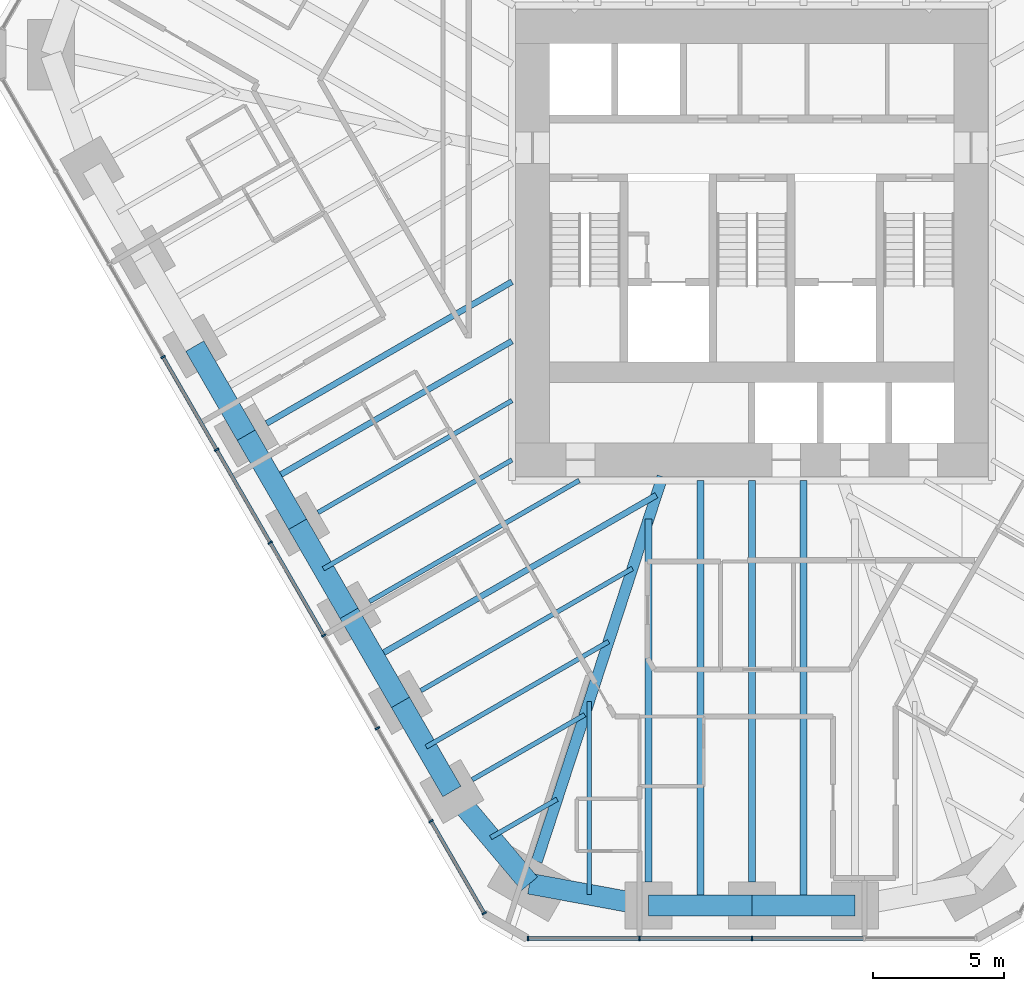
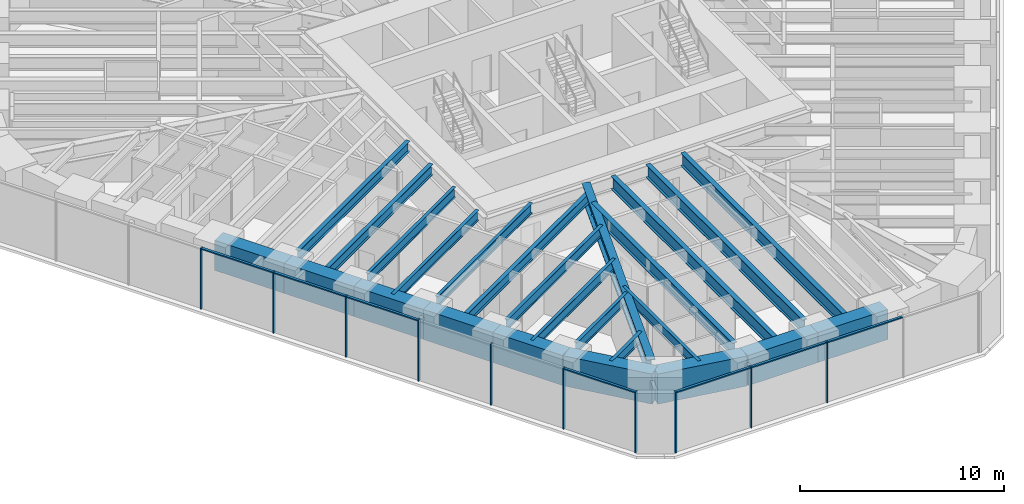
# One storey, part 2 of 17: 25 beams, 17 members, 2 elements without a shape of their own.
"""IFC4 building model written with IfcOpenShell, lengths in metres."""

from ifc_helpers import new_model, si_unit, direction, frame, origin, origin_2d, place, context, subcontext, project, spatial, rectangle, i_section, extrude, material, material_profile, profile_set, type_object, element, aggregate, save


model = new_model("IFC4")

# Units and contexts
model_context = context("Model", 3, precision=1e-05, world=origin(), true_north=direction((0.0, 1.0)))
body_context = subcontext(model_context, "Body", "Model", "MODEL_VIEW")
ifc_project = project(units=[si_unit("LENGTHUNIT", "METRE"), si_unit("AREAUNIT", "SQUARE_METRE"), si_unit("VOLUMEUNIT", "CUBIC_METRE"), si_unit("PLANEANGLEUNIT", "RADIAN"), si_unit("MASSUNIT", "GRAM", prefix="KILO")], contexts=[model_context])

# Site, building, storey
site_placement = place(None, origin())
site = spatial("IfcSite", under=ifc_project, at=site_placement, CompositionType="ELEMENT")
building_placement = place(site_placement, origin())
building = spatial("IfcBuilding", under=site, at=building_placement, Name="Sandreach Pilgrim Tower", CompositionType="ELEMENT")
storey_placement = place(building_placement, frame((0.0, 0.0, 112.0)))
storey = spatial("IfcBuildingStorey", under=building, at=storey_placement, Name="L27", CompositionType="ELEMENT", Elevation=112.0)

# Curtain wall, members
ifc_material_1 = material(Name="Aluminium framed curtain wall", Category="aluminium")
curtain_wall_type = type_object("IfcCurtainWallType", Name="Hotel tower curtain wall", PredefinedType="NOTDEFINED", material=ifc_material_1)
curtain_wall_1_placement = place(storey_placement, origin())
curtain_wall_1 = element("IfcCurtainWall", 1, at=curtain_wall_1_placement, inside=storey, type_object=curtain_wall_type, Name="CW-2 L27 S", PredefinedType="NOTDEFINED")
ifc_material_2 = material(Name="Aluminium extrusion", Category="aluminium")
ifc_material_profile_1 = material_profile(ifc_material_2, rectangle(XDim=0.06494140625, YDim=0.179931640625, at=origin_2d()), Name="CW-2M 65X180")
ifc_profile_set_1 = profile_set([ifc_material_profile_1], Name="Aluminium extrusion")
member_type_1 = type_object("IfcMemberType", Name="CW-2 mullion", PredefinedType="MULLION", material=ifc_profile_set_1)
member_1_placement = place(storey_placement, frame((0.0, -28.192138671875, 0.0), z_axis=(0.0, 0.0, 1.0), x_axis=(-1.0, 0.0, 0.0)))
member_1 = element("IfcMember", 2, at=member_1_placement, type_object=member_type_1, Name="CW-2 mullion 3", PredefinedType="MULLION", context=body_context, shape_type="SweptSolid", body=[
    extrude(rectangle(XDim=0.06494140625, YDim=0.179931640625, at=origin_2d()), origin(), (0.0, 0.0, 1.0), 3.639892578125),
])
member_2_placement = place(storey_placement, frame((-4.3056640625, -28.192138671875, 0.0), z_axis=(0.0, 0.0, 1.0), x_axis=(-1.0, 0.0, 0.0)))
member_2 = element("IfcMember", 3, at=member_2_placement, type_object=member_type_1, Name="CW-2 mullion 4", PredefinedType="MULLION", context=body_context, shape_type="SweptSolid", body=[
    extrude(rectangle(XDim=0.06494140625, YDim=0.179931640625, at=origin_2d()), origin(), (0.0, 0.0, 1.0), 3.639892578125),
])
member_3_placement = place(storey_placement, frame((-8.578857421875, -28.192138671875, 0.0), z_axis=(0.0, 0.0, 1.0), x_axis=(-1.0, 0.0, 0.0)))
member_3 = element("IfcMember", 4, at=member_3_placement, type_object=member_type_1, Name="CW-2 mullion 5", PredefinedType="MULLION", context=body_context, shape_type="SweptSolid", body=[
    extrude(rectangle(XDim=0.06494140625, YDim=0.179931640625, at=origin_2d()), origin(), (0.0, 0.0, 1.0), 3.639892578125),
])

curtain_wall_2_placement = place(storey_placement, origin())
curtain_wall_2 = element("IfcCurtainWall", 5, at=curtain_wall_2_placement, inside=storey, type_object=curtain_wall_type, Name="CW-2 L27 SW", PredefinedType="NOTDEFINED")
member_4_placement = place(storey_placement, frame((-10.255859375, -27.22412109375, 0.0), z_axis=(0.0, 0.0, 1.0), x_axis=(-0.5, 0.866025403784, 0.0)))
member_4 = element("IfcMember", 6, at=member_4_placement, type_object=member_type_1, Name="CW-2 mullion 1", PredefinedType="MULLION", context=body_context, shape_type="SweptSolid", body=[
    extrude(rectangle(XDim=0.06494140625, YDim=0.179931640625, at=origin_2d()), origin(), (0.0, 0.0, 1.0), 3.639892578125),
])
member_5_placement = place(storey_placement, frame((-12.29296875, -23.695556640625, 0.0), z_axis=(0.0, 0.0, 1.0), x_axis=(-0.5, 0.866025403784, 0.0)))
member_5 = element("IfcMember", 7, at=member_5_placement, type_object=member_type_1, Name="CW-2 mullion 2", PredefinedType="MULLION", context=body_context, shape_type="SweptSolid", body=[
    extrude(rectangle(XDim=0.06494140625, YDim=0.179931640625, at=origin_2d()), origin(), (0.0, 0.0, 1.0), 3.639892578125),
])
member_6_placement = place(storey_placement, frame((-14.346435546875, -20.138671875, 0.0), z_axis=(0.0, 0.0, 1.0), x_axis=(-0.5, 0.866025403784, 0.0)))
member_6 = element("IfcMember", 8, at=member_6_placement, type_object=member_type_1, Name="CW-2 mullion 3", PredefinedType="MULLION", context=body_context, shape_type="SweptSolid", body=[
    extrude(rectangle(XDim=0.06494140625, YDim=0.179931640625, at=origin_2d()), origin(), (0.0, 0.0, 1.0), 3.639892578125),
])
member_7_placement = place(storey_placement, frame((-16.39990234375, -16.58203125, 0.0), z_axis=(0.0, 0.0, 1.0), x_axis=(-0.5, 0.866025403784, 0.0)))
member_7 = element("IfcMember", 9, at=member_7_placement, type_object=member_type_1, Name="CW-2 mullion 4", PredefinedType="MULLION", context=body_context, shape_type="SweptSolid", body=[
    extrude(rectangle(XDim=0.06494140625, YDim=0.179931640625, at=origin_2d()), origin(), (0.0, 0.0, 1.0), 3.639892578125),
])
member_8_placement = place(storey_placement, frame((-18.453369140625, -13.025146484375, 0.0), z_axis=(0.0, 0.0, 1.0), x_axis=(-0.5, 0.866025403784, 0.0)))
member_8 = element("IfcMember", 10, at=member_8_placement, type_object=member_type_1, Name="CW-2 mullion 5", PredefinedType="MULLION", context=body_context, shape_type="SweptSolid", body=[
    extrude(rectangle(XDim=0.06494140625, YDim=0.179931640625, at=origin_2d()), origin(), (0.0, 0.0, 1.0), 3.639892578125),
])
member_9_placement = place(storey_placement, frame((-20.5068359375, -9.468505859375, 0.0), z_axis=(0.0, 0.0, 1.0), x_axis=(-0.5, 0.866025403784, 0.0)))
member_9 = element("IfcMember", 11, at=member_9_placement, type_object=member_type_1, Name="CW-2 mullion 6", PredefinedType="MULLION", context=body_context, shape_type="SweptSolid", body=[
    extrude(rectangle(XDim=0.06494140625, YDim=0.179931640625, at=origin_2d()), origin(), (0.0, 0.0, 1.0), 3.639892578125),
])
member_10_placement = place(storey_placement, frame((-22.560302734375, -5.911865234375, 0.0), z_axis=(0.0, 0.0, 1.0), x_axis=(-0.5, 0.866025403784, 0.0)))
member_10 = element("IfcMember", 12, at=member_10_placement, type_object=member_type_1, Name="CW-2 mullion 7", PredefinedType="MULLION", context=body_context, shape_type="SweptSolid", body=[
    extrude(rectangle(XDim=0.06494140625, YDim=0.179931640625, at=origin_2d()), origin(), (0.0, 0.0, 1.0), 3.639892578125),
])

# Member
ifc_material_3 = material(Name="Aluminium extrusion", Category="aluminium")
ifc_material_profile_2 = material_profile(ifc_material_3, rectangle(XDim=0.139892578125, YDim=0.070068359375, at=origin_2d()), Name="CW-2T 140X70")
ifc_profile_set_2 = profile_set([ifc_material_profile_2], Name="Aluminium extrusion")
member_type_2 = type_object("IfcMemberType", Name="CW-2 transom", PredefinedType="USERDEFINED", material=ifc_profile_set_2)
member_11_placement = place(storey_placement, frame((4.273193359375, -28.192138671875, 3.60498046875), z_axis=(-1.0, 0.0, 0.0), x_axis=(0.0, -1.0, 0.0)))
member_11 = element("IfcMember", 13, at=member_11_placement, type_object=member_type_2, Name="CW-2 head transom 2", ObjectType="TRANSOM", PredefinedType="USERDEFINED", context=body_context, shape_type="SweptSolid", body=[
    extrude(rectangle(XDim=0.139892578125, YDim=0.070068359375, at=origin_2d()), origin(), (0.0, 0.0, 1.0), 4.24072265625),
])

member_12_placement = place(storey_placement, frame((-0.032470703125, -28.192138671875, 3.60498046875), z_axis=(-1.0, 0.0, 0.0), x_axis=(0.0, -1.0, 0.0)))
member_12 = element("IfcMember", 14, at=member_12_placement, type_object=member_type_2, Name="CW-2 head transom 3", ObjectType="TRANSOM", PredefinedType="USERDEFINED", context=body_context, shape_type="SweptSolid", body=[
    extrude(rectangle(XDim=0.139892578125, YDim=0.070068359375, at=origin_2d()), origin(), (0.0, 0.0, 1.0), 4.24072265625),
])

member_13_placement = place(storey_placement, frame((-4.338134765625, -28.192138671875, 3.60498046875), z_axis=(-1.0, 0.0, 0.0), x_axis=(0.0, -1.0, 0.0)))
member_13 = element("IfcMember", 15, at=member_13_placement, type_object=member_type_2, Name="CW-2 head transom 4", ObjectType="TRANSOM", PredefinedType="USERDEFINED", context=body_context, shape_type="SweptSolid", body=[
    extrude(rectangle(XDim=0.139892578125, YDim=0.070068359375, at=origin_2d()), origin(), (0.0, 0.0, 1.0), 4.208251953125),
])

aggregate(curtain_wall_1, [member_1, member_2, member_3, member_11, member_12, member_13])

member_14_placement = place(storey_placement, frame((-10.27197265625, -27.196044921875, 3.60498046875), z_axis=(-0.500015851672, 0.866016251624, 0.0), x_axis=(-0.866016251624, -0.500015851672, 0.0)))
member_14 = element("IfcMember", 16, at=member_14_placement, type_object=member_type_2, Name="CW-2 head transom 1", ObjectType="TRANSOM", PredefinedType="USERDEFINED", context=body_context, shape_type="SweptSolid", body=[
    extrude(rectangle(XDim=0.139892578125, YDim=0.070068359375, at=origin_2d()), origin(), (0.0, 0.0, 1.0), 4.009521484375),
])

member_15_placement = place(storey_placement, frame((-16.416259765625, -16.553955078125, 3.60498046875), z_axis=(-0.499997818338, 0.866026663364, 0.0), x_axis=(-0.866026663364, -0.499997818338, 0.0)))
member_15 = element("IfcMember", 17, at=member_15_placement, type_object=member_type_2, Name="CW-2 head transom 4", ObjectType="TRANSOM", PredefinedType="USERDEFINED", context=body_context, shape_type="SweptSolid", body=[
    extrude(rectangle(XDim=0.139892578125, YDim=0.070068359375, at=origin_2d()), origin(), (0.0, 0.0, 1.0), 4.0419921875),
])

member_16_placement = place(storey_placement, frame((-18.4697265625, -12.9970703125, 3.60498046875), z_axis=(-0.499997818338, 0.866026663364, 0.0), x_axis=(-0.866026663364, -0.499997818338, 0.0)))
member_16 = element("IfcMember", 18, at=member_16_placement, type_object=member_type_2, Name="CW-2 head transom 5", ObjectType="TRANSOM", PredefinedType="USERDEFINED", context=body_context, shape_type="SweptSolid", body=[
    extrude(rectangle(XDim=0.139892578125, YDim=0.070068359375, at=origin_2d()), origin(), (0.0, 0.0, 1.0), 4.0419921875),
])

member_17_placement = place(storey_placement, frame((-20.523193359375, -9.4404296875, 3.60498046875), z_axis=(-0.499997818338, 0.866026663364, 0.0), x_axis=(-0.866026663364, -0.499997818338, 0.0)))
member_17 = element("IfcMember", 19, at=member_17_placement, type_object=member_type_2, Name="CW-2 head transom 6", ObjectType="TRANSOM", PredefinedType="USERDEFINED", context=body_context, shape_type="SweptSolid", body=[
    extrude(rectangle(XDim=0.139892578125, YDim=0.070068359375, at=origin_2d()), origin(), (0.0, 0.0, 1.0), 4.0419921875),
])

aggregate(curtain_wall_2, [member_4, member_5, member_6, member_7, member_8, member_9, member_10, member_14, member_15, member_16, member_17])

# Beams
ifc_material_4 = material(Name="Steel ASTM A992 Grade 50", Category="steel")
ifc_material_profile_3 = material_profile(ifc_material_4, i_section(OverallWidth=0.421630859375, OverallDepth=0.937255859375, WebThickness=0.0224609375, FlangeThickness=0.039794921875, at=origin_2d()), Name="W36X282")
ifc_profile_set_3 = profile_set([ifc_material_profile_3], Name="Steel ASTM A992 Grade 50")
beam_type_1 = type_object("IfcBeamType", Name="Corner girder W36X282", PredefinedType="BEAM", material=ifc_profile_set_3)
beam_1_placement = place(storey_placement, frame((-8.238525390625, -25.23876953125, 3.17138671875), z_axis=(0.310307109519, 0.950636364643, 0.0), x_axis=(-0.950636364643, 0.310307109519, 0.0)))
element("IfcBeam", 20, at=beam_1_placement, inside=storey, type_object=beam_type_1, Name="BM L27 CG26", PredefinedType="BEAM", context=body_context, shape_type="SweptSolid", body=[
    extrude(i_section(OverallWidth=0.421630859375, OverallDepth=0.937255859375, WebThickness=0.0224609375, FlangeThickness=0.039794921875, at=origin_2d()), origin(), (0.0, 0.0, 1.0), 15.504150390625),
])
ifc_material_5 = material(Name="Steel ASTM A992 Grade 50", Category="steel")
ifc_material_profile_4 = material_profile(ifc_material_5, i_section(OverallWidth=0.1787109375, OverallDepth=0.60205078125, WebThickness=0.010986328125, FlangeThickness=0.014892578125, at=origin_2d()), Name="W24X62")
ifc_profile_set_4 = profile_set([ifc_material_profile_4], Name="Steel ASTM A992 Grade 50")
beam_type_2 = type_object("IfcBeamType", Name="Floor beam W24X62", PredefinedType="BEAM", material=ifc_profile_set_4)
beam_2_placement = place(storey_placement, frame((-10.714599609375, -22.109130859375, 3.339111328125), z_axis=(0.866024645457, 0.500001313459, 0.0), x_axis=(-0.500001313459, 0.866024645457, 0.0)))
element("IfcBeam", 21, at=beam_2_placement, inside=storey, type_object=beam_type_2, Name="BM L27 F27", PredefinedType="BEAM", context=body_context, shape_type="SweptSolid", body=[
    extrude(i_section(OverallWidth=0.1787109375, OverallDepth=0.60205078125, WebThickness=0.010986328125, FlangeThickness=0.014892578125, at=origin_2d()), origin(), (0.0, 0.0, 1.0), 4.9765625),
])
beam_3_placement = place(storey_placement, frame((-12.6845703125, -18.697265625, 3.339111328125), z_axis=(0.866012351917, 0.500022605817, 0.0), x_axis=(-0.500022605817, 0.866012351917, 0.0)))
element("IfcBeam", 22, at=beam_3_placement, inside=storey, type_object=beam_type_2, Name="BM L27 F28", PredefinedType="BEAM", context=body_context, shape_type="SweptSolid", body=[
    extrude(i_section(OverallWidth=0.1787109375, OverallDepth=0.60205078125, WebThickness=0.010986328125, FlangeThickness=0.014892578125, at=origin_2d()), origin(), (0.0, 0.0, 1.0), 9.3642578125),
])
beam_4_placement = place(storey_placement, frame((-14.654541015625, -15.28515625, 3.339111328125), z_axis=(0.866015659929, 0.500016876472, 0.0), x_axis=(-0.500016876472, 0.866015659929, 0.0)))
element("IfcBeam", 23, at=beam_4_placement, inside=storey, type_object=beam_type_2, Name="BM L27 F29", PredefinedType="BEAM", context=body_context, shape_type="SweptSolid", body=[
    extrude(i_section(OverallWidth=0.1787109375, OverallDepth=0.60205078125, WebThickness=0.010986328125, FlangeThickness=0.014892578125, at=origin_2d()), origin(), (0.0, 0.0, 1.0), 9.283447265625),
])
beam_5_placement = place(storey_placement, frame((-16.62451171875, -11.873046875, 3.339111328125), z_axis=(0.866017857595, 0.500013070155, 0.0), x_axis=(-0.500013070155, 0.866017857595, 0.0)))
element("IfcBeam", 24, at=beam_5_placement, inside=storey, type_object=beam_type_2, Name="BM L27 F30", PredefinedType="BEAM", context=body_context, shape_type="SweptSolid", body=[
    extrude(i_section(OverallWidth=0.1787109375, OverallDepth=0.60205078125, WebThickness=0.010986328125, FlangeThickness=0.014892578125, at=origin_2d()), origin(), (0.0, 0.0, 1.0), 8.580810546875),
])
beam_6_placement = place(storey_placement, frame((-6.236572265625, -26.51318359375, 3.339111328125), z_axis=(0.0, 1.0, 0.0), x_axis=(-1.0, 0.0, 0.0)))
element("IfcBeam", 25, at=beam_6_placement, inside=storey, type_object=beam_type_2, Name="BM L27 FM25", PredefinedType="BEAM", context=body_context, shape_type="SweptSolid", body=[
    extrude(i_section(OverallWidth=0.1787109375, OverallDepth=0.60205078125, WebThickness=0.010986328125, FlangeThickness=0.014892578125, at=origin_2d()), origin(), (0.0, 0.0, 1.0), 7.40771484375),
])
beam_7_placement = place(storey_placement, frame((-10.006103515625, -24.326904296875, 3.339111328125), z_axis=(0.866015396618, 0.500017332519, 0.0), x_axis=(-0.500017332519, 0.866015396618, 0.0)))
element("IfcBeam", 26, at=beam_7_placement, inside=storey, type_object=beam_type_2, Name="BM L27 FM26", PredefinedType="BEAM", context=body_context, shape_type="SweptSolid", body=[
    extrude(i_section(OverallWidth=0.1787109375, OverallDepth=0.60205078125, WebThickness=0.010986328125, FlangeThickness=0.014892578125, at=origin_2d()), origin(), (0.0, 0.0, 1.0), 2.9384765625),
])
beam_8_placement = place(storey_placement, frame((-12.47900390625, -20.853271484375, 3.339111328125), z_axis=(0.866017328257, 0.500013986963, 0.0), x_axis=(-0.500013986963, 0.866017328257, 0.0)))
element("IfcBeam", 27, at=beam_8_placement, inside=storey, type_object=beam_type_2, Name="BM L27 FM27", PredefinedType="BEAM", context=body_context, shape_type="SweptSolid", body=[
    extrude(i_section(OverallWidth=0.1787109375, OverallDepth=0.60205078125, WebThickness=0.010986328125, FlangeThickness=0.014892578125, at=origin_2d()), origin(), (0.0, 0.0, 1.0), 8.070556640625),
])
beam_9_placement = place(storey_placement, frame((-16.4189453125, -14.029052734375, 3.339111328125), z_axis=(0.866016009309, 0.500016271356, 0.0), x_axis=(-0.500016271356, 0.866016009309, 0.0)))
element("IfcBeam", 28, at=beam_9_placement, inside=storey, type_object=beam_type_2, Name="BM L27 FM29", PredefinedType="BEAM", context=body_context, shape_type="SweptSolid", body=[
    extrude(i_section(OverallWidth=0.1787109375, OverallDepth=0.60205078125, WebThickness=0.010986328125, FlangeThickness=0.014892578125, at=origin_2d()), origin(), (0.0, 0.0, 1.0), 8.343505859375),
])
ifc_material_6 = material(Name="Steel ASTM A992 Grade 50", Category="steel")
ifc_material_profile_5 = material_profile(ifc_material_6, i_section(OverallWidth=0.23046875, OverallDepth=0.6171875, WebThickness=0.01318359375, FlangeThickness=0.022216796875, at=origin_2d()), Name="W24X94")
ifc_profile_set_5 = profile_set([ifc_material_profile_5], Name="Steel ASTM A992 Grade 50")
beam_type_3 = type_object("IfcBeamType", Name="Floor beam W24X94", PredefinedType="BEAM", material=ifc_profile_set_5)
beam_10_placement = place(storey_placement, frame((-18.594482421875, -8.4609375, 3.331298828125), z_axis=(0.866015926388, 0.500016414973, 0.0), x_axis=(-0.500016414973, 0.866015926388, 0.0)))
element("IfcBeam", 29, at=beam_10_placement, inside=storey, type_object=beam_type_3, Name="BM L27 F31", PredefinedType="BEAM", context=body_context, shape_type="SweptSolid", body=[
    extrude(i_section(OverallWidth=0.23046875, OverallDepth=0.6171875, WebThickness=0.01318359375, FlangeThickness=0.022216796875, at=origin_2d()), origin(), (0.0, 0.0, 1.0), 10.855712890625),
])
beam_11_placement = place(storey_placement, frame((-14.448974609375, -17.441162109375, 3.331298828125), z_axis=(0.866019150617, 0.500010830648, 0.0), x_axis=(-0.500010830648, 0.866019150617, 0.0)))
element("IfcBeam", 30, at=beam_11_placement, inside=storey, type_object=beam_type_3, Name="BM L27 FM28", PredefinedType="BEAM", context=body_context, shape_type="SweptSolid", body=[
    extrude(i_section(OverallWidth=0.23046875, OverallDepth=0.6171875, WebThickness=0.01318359375, FlangeThickness=0.022216796875, at=origin_2d()), origin(), (0.0, 0.0, 1.0), 12.458251953125),
])
beam_12_placement = place(storey_placement, frame((-18.388916015625, -10.616943359375, 3.331298828125), z_axis=(0.866024387147, 0.500001760863, 0.0), x_axis=(-0.500001760863, 0.866024387147, 0.0)))
element("IfcBeam", 31, at=beam_12_placement, inside=storey, type_object=beam_type_3, Name="BM L27 FM30", PredefinedType="BEAM", context=body_context, shape_type="SweptSolid", body=[
    extrude(i_section(OverallWidth=0.23046875, OverallDepth=0.6171875, WebThickness=0.01318359375, FlangeThickness=0.022216796875, at=origin_2d()), origin(), (0.0, 0.0, 1.0), 10.6181640625),
])
ifc_material_7 = material(Name="Steel ASTM A992 Grade 50", Category="steel")
ifc_material_profile_6 = material_profile(ifc_material_7, i_section(OverallWidth=0.2666015625, OverallDepth=0.761962890625, WebThickness=0.014404296875, FlangeThickness=0.021484375, at=origin_2d()), Name="W30X116")
ifc_profile_set_6 = profile_set([ifc_material_profile_6], Name="Steel ASTM A992 Grade 50")
beam_type_4 = type_object("IfcBeamType", Name="Floor beam W30X116", PredefinedType="BEAM", material=ifc_profile_set_6)
beam_13_placement = place(storey_placement, frame((-3.955322265625, -26.0322265625, 3.259033203125), z_axis=(0.0, 1.0, 0.0), x_axis=(-1.0, 0.0, 0.0)))
element("IfcBeam", 32, at=beam_13_placement, inside=storey, type_object=beam_type_4, Name="BM L27 F25", PredefinedType="BEAM", context=body_context, shape_type="SweptSolid", body=[
    extrude(i_section(OverallWidth=0.2666015625, OverallDepth=0.761962890625, WebThickness=0.014404296875, FlangeThickness=0.021484375, at=origin_2d()), origin(), (0.0, 0.0, 1.0), 13.91552734375),
])
ifc_material_8 = material(Name="Steel ASTM A992 Grade 50", Category="steel")
ifc_material_profile_7 = material_profile(ifc_material_8, i_section(OverallWidth=0.2666015625, OverallDepth=0.77978515625, WebThickness=0.0166015625, FlangeThickness=0.030029296875, at=origin_2d()), Name="W30X148")
ifc_profile_set_7 = profile_set([ifc_material_profile_7], Name="Steel ASTM A992 Grade 50")
beam_type_5 = type_object("IfcBeamType", Name="Floor beam W30X148", PredefinedType="BEAM", material=ifc_profile_set_7)
beam_14_placement = place(storey_placement, frame((0.0, -26.0322265625, 3.25), z_axis=(0.0, 1.0, 0.0), x_axis=(-1.0, 0.0, 0.0)))
element("IfcBeam", 33, at=beam_14_placement, inside=storey, type_object=beam_type_5, Name="BM L27 F24", PredefinedType="BEAM", context=body_context, shape_type="SweptSolid", body=[
    extrude(i_section(OverallWidth=0.2666015625, OverallDepth=0.77978515625, WebThickness=0.0166015625, FlangeThickness=0.030029296875, at=origin_2d()), origin(), (0.0, 0.0, 1.0), 15.388916015625),
])
for number, where, z_axis, x_axis, name in (
    (34, (1.9775390625, -26.93212890625, 3.25), (0.0, 1.0, 0.0), (-1.0, 0.0, 0.0), "BM L27 FM23"),
    (35, (-1.9775390625, -26.93212890625, 3.25), (0.0, 1.0, 0.0), (-1.0, 0.0, 0.0), "BM L27 FM24"),
):
    element("IfcBeam", number, at=place(storey_placement, frame(where, z_axis=z_axis, x_axis=x_axis)), inside=storey, type_object=beam_type_5, Name=name, PredefinedType="BEAM", context=body_context, shape_type="SweptSolid", body=[
        extrude(i_section(OverallWidth=0.2666015625, OverallDepth=0.77978515625, WebThickness=0.0166015625, FlangeThickness=0.030029296875, at=origin_2d()), origin(), (0.0, 0.0, 1.0), 16.288818359375),
    ])
ifc_material_9 = material(Name="Concrete 10000 psi", Category="concrete")
ifc_material_profile_8 = material_profile(ifc_material_9, rectangle(XDim=0.800048828125, YDim=1.800048828125, at=origin_2d()), Name="RC800X1800")
ifc_profile_set_8 = profile_set([ifc_material_profile_8], Name="Concrete 10000 psi")
beam_type_6 = type_object("IfcBeamType", Name="Spandrel beam RC800X1800", PredefinedType="SPANDREL", material=ifc_profile_set_8)
for number, where, z_axis, x_axis, name in (
    (36, (3.955322265625, -26.93212890625, 2.739990234375), (-1.0, 0.0, 0.0), (0.0, -1.0, 0.0), "BM L27 SP23"),
    (37, (0.0, -26.93212890625, 2.739990234375), (-1.0, 0.0, 0.0), (0.0, -1.0, 0.0), "BM L27 SP24"),
):
    element("IfcBeam", number, at=place(storey_placement, frame(where, z_axis=z_axis, x_axis=x_axis)), inside=storey, type_object=beam_type_6, Name=name, PredefinedType="SPANDREL", context=body_context, shape_type="SweptSolid", body=[
        extrude(rectangle(XDim=0.800048828125, YDim=1.800048828125, at=origin_2d()), origin(), (0.0, 0.0, 1.0), 3.955322265625),
    ])
beam_15_placement = place(storey_placement, frame((-3.955322265625, -26.93212890625, 2.739990234375), z_axis=(-0.983551746136, 0.180626583516, 0.0), x_axis=(-0.180626583516, -0.983551746136, 0.0)))
element("IfcBeam", 38, at=beam_15_placement, inside=storey, type_object=beam_type_6, Name="BM L27 SP25", PredefinedType="SPANDREL", context=body_context, shape_type="SweptSolid", body=[
    extrude(rectangle(XDim=0.800048828125, YDim=1.800048828125, at=origin_2d()), origin(), (0.0, 0.0, 1.0), 4.638916015625),
])
beam_16_placement = place(storey_placement, frame((-8.517822265625, -26.09423828125, 2.739990234375), z_axis=(-0.644078801547, 0.764959147535, 0.0), x_axis=(-0.764959147535, -0.644078801547, 0.0)))
element("IfcBeam", 39, at=beam_16_placement, inside=storey, type_object=beam_type_6, Name="BM L27 SP26", PredefinedType="SPANDREL", context=body_context, shape_type="SweptSolid", body=[
    extrude(rectangle(XDim=0.800048828125, YDim=1.800048828125, at=origin_2d()), origin(), (0.0, 0.0, 1.0), 4.62109375),
])
for number, where, z_axis, x_axis, name in (
    (40, (-11.494140625, -22.559326171875, 2.739990234375), (-0.49999779889, 0.866026674592, 0.0), (-0.866026674592, -0.49999779889, 0.0), "BM L27 SP27"),
    (41, (-13.464111328125, -19.147216796875, 2.739990234375), (-0.49999779889, 0.866026674592, 0.0), (-0.866026674592, -0.49999779889, 0.0), "BM L27 SP28"),
    (42, (-15.43408203125, -15.735107421875, 2.739990234375), (-0.49999779889, 0.866026674592, 0.0), (-0.866026674592, -0.49999779889, 0.0), "BM L27 SP29"),
    (43, (-17.404052734375, -12.322998046875, 2.739990234375), (-0.49999779889, 0.866026674592, 0.0), (-0.866026674592, -0.49999779889, 0.0), "BM L27 SP30"),
    (44, (-19.3740234375, -8.910888671875, 2.739990234375), (-0.49999779889, 0.866026674592, 0.0), (-0.866026674592, -0.49999779889, 0.0), "BM L27 SP31"),
):
    element("IfcBeam", number, at=place(storey_placement, frame(where, z_axis=z_axis, x_axis=x_axis)), inside=storey, type_object=beam_type_6, Name=name, PredefinedType="SPANDREL", context=body_context, shape_type="SweptSolid", body=[
        extrude(rectangle(XDim=0.800048828125, YDim=1.800048828125, at=origin_2d()), origin(), (0.0, 0.0, 1.0), 3.93994140625),
    ])

save(model, "model.ifc")
